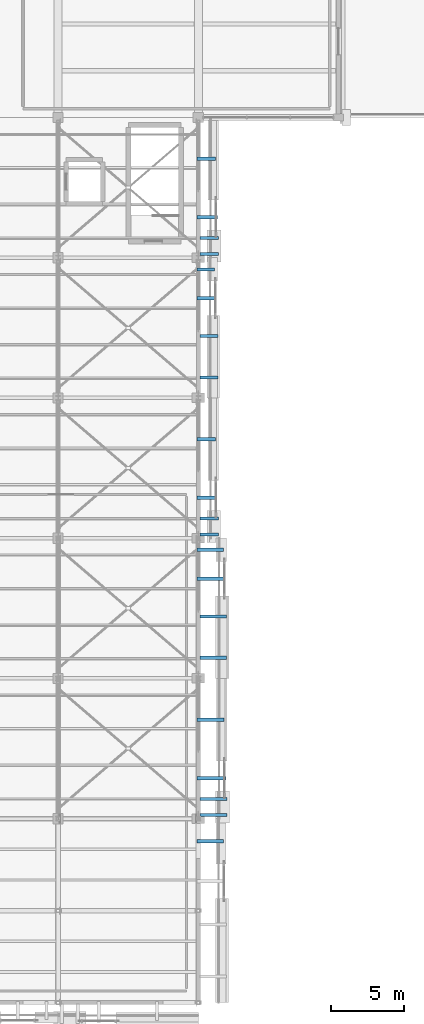
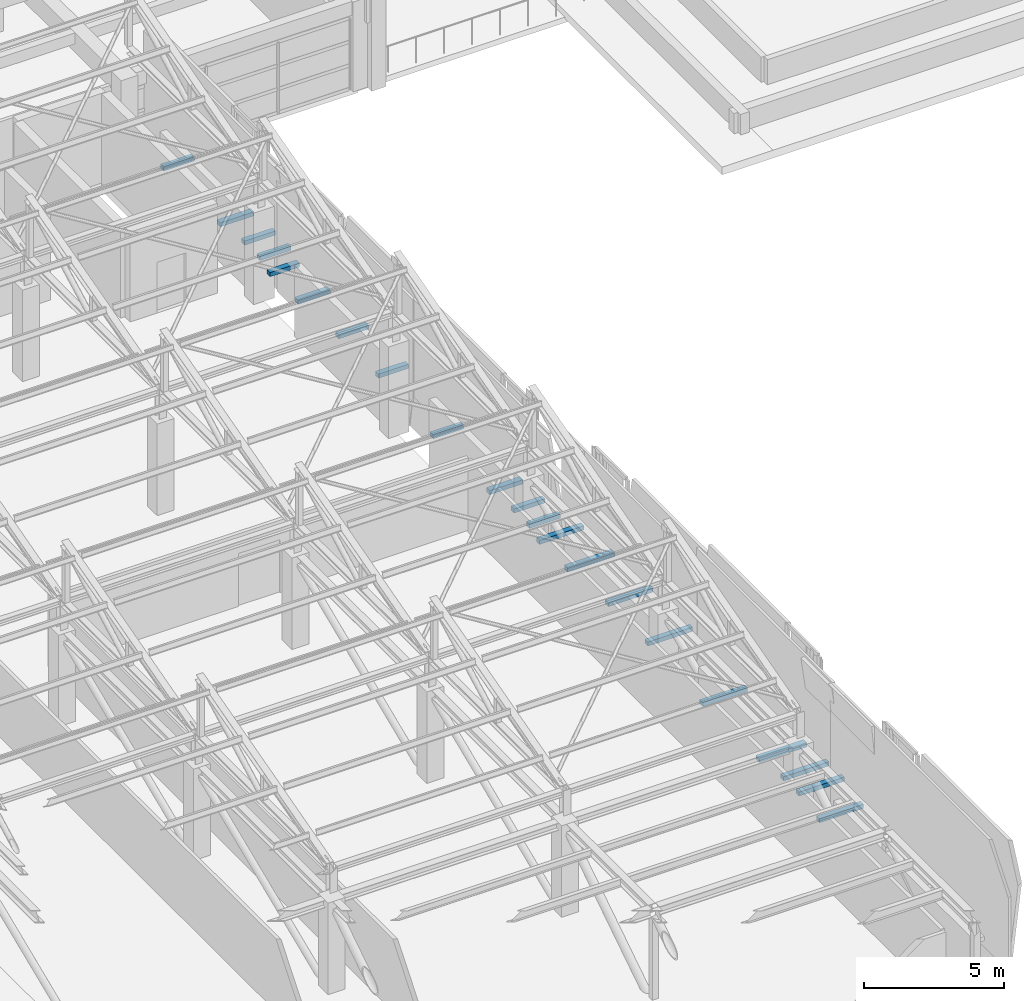
# One storey, part 63 of 71: 21 discrete accessories.
"""IFC4 building model written with IfcOpenShell, lengths in metres."""

from ifc_helpers import new_model, si_unit, direction, frame, origin, origin_2d, place, context, subcontext, project, spatial, rectangle, extrude, material, layer, layer_set, type_object, element, save


model = new_model("IFC4")

# Units and contexts
model_context = context("Model", 3, precision=1e-05, world=origin(), true_north=direction((0.0, 1.0)))
body_context = subcontext(model_context, "Body", "Model", "MODEL_VIEW")
ifc_project = project(units=[si_unit("LENGTHUNIT", "METRE"), si_unit("AREAUNIT", "SQUARE_METRE"), si_unit("VOLUMEUNIT", "CUBIC_METRE"), si_unit("PLANEANGLEUNIT", "RADIAN"), si_unit("MASSUNIT", "GRAM", prefix="KILO")], contexts=[model_context])

# Site, building, storey
site_placement = place(None, origin())
site = spatial("IfcSite", under=ifc_project, at=site_placement, CompositionType="ELEMENT")
building_placement = place(site_placement, origin())
building = spatial("IfcBuilding", under=site, at=building_placement, Name="Bempovik Park Faculty of Sciences", CompositionType="ELEMENT")
storey_placement = place(building_placement, frame((0.0, 0.0, 14.10009765625)))
storey = spatial("IfcBuildingStorey", under=building, at=storey_placement, Name="L03", CompositionType="ELEMENT", Elevation=14.10009765625)

# Discrete accessories
ifc_material = material(Name="Steel S355", Category="steel")
ifc_layer = layer(ifc_material, 0.14990234375)
ifc_layer_set = layer_set([ifc_layer], Name="Steel S355")
discrete_accessory_type = type_object("IfcDiscreteAccessoryType", Name="BK-01 Facade Support Bracket", PredefinedType="BRACKET", material=ifc_layer_set)
discrete_accessory_1_placement = place(storey_placement, frame((118.41015625, 18.25244140625, 1.44970703125), z_axis=(0.0, 0.0, 1.0), x_axis=(1.0, 0.0, 0.0)))
element("IfcDiscreteAccessory", 1, at=discrete_accessory_1_placement, inside=storey, type_object=discrete_accessory_type, Name="Crystal Cladding Support Bracket FAC-CRYS-L03-1176-72-BKR", PredefinedType="BRACKET", context=body_context, shape_type="SweptSolid", body=[
    extrude(rectangle(XDim=1.800537109375, YDim=0.219970703125, at=origin_2d()), origin(), (0.0, 0.0, 1.0), 0.179931640625),
])
discrete_accessory_2_placement = place(storey_placement, frame((118.431396484375, 26.577392578125, 1.44970703125), z_axis=(0.0, 0.0, 1.0), x_axis=(1.0, 0.0, 0.0)))
element("IfcDiscreteAccessory", 2, at=discrete_accessory_2_placement, inside=storey, type_object=discrete_accessory_type, Name="Crystal Cladding Support Bracket FAC-CRYS-L03-1176-198-BKR", PredefinedType="BRACKET", context=body_context, shape_type="SweptSolid", body=[
    extrude(rectangle(XDim=1.8427734375, YDim=0.219970703125, at=origin_2d()), origin(), (0.0, 0.0, 1.0), 0.179931640625),
])
for number, where, z_axis, x_axis, name in (
    (3, (118.63134765625, 20.047607421875, 1.44970703125), (0.0, 0.0, 1.0), (1.0, 0.0, 0.0), "Crystal Cladding Support Bracket FAC-CRYS-L03-1176-198-BK1"),
    (4, (118.63134765625, 21.1474609375, 1.44970703125), (0.0, 0.0, 1.0), (1.0, 0.0, 0.0), "Crystal Cladding Support Bracket FAC-CRYS-L03-1176-198-BK2"),
):
    element("IfcDiscreteAccessory", number, at=place(storey_placement, frame(where, z_axis=z_axis, x_axis=x_axis)), inside=storey, type_object=discrete_accessory_type, Name=name, PredefinedType="BRACKET", context=body_context, shape_type="SweptSolid", body=[
        extrude(rectangle(XDim=1.86279296875, YDim=0.219970703125, at=origin_2d()), origin(), (0.0, 0.0, 1.0), 0.179931640625),
    ])
discrete_accessory_3_placement = place(storey_placement, frame((118.50146484375, 22.574951171875, 1.44970703125), z_axis=(0.0, 0.0, 1.0), x_axis=(1.0, 0.0, 0.0)))
element("IfcDiscreteAccessory", 5, at=discrete_accessory_3_placement, inside=storey, type_object=discrete_accessory_type, Name="Crystal Fold Tie Bracket FAC-CRYS-L03-1176-198-BKF", PredefinedType="BRACKET", context=body_context, shape_type="SweptSolid", body=[
    extrude(rectangle(XDim=1.962646484375, YDim=0.239990234375, at=origin_2d()), origin(), (0.0, 0.0, 1.0), 0.179931640625),
])
discrete_accessory_4_placement = place(storey_placement, frame((118.4208984375, 38.202392578125, 1.44970703125), z_axis=(0.0, 0.0, 1.0), x_axis=(1.0, 0.0, 0.0)))
element("IfcDiscreteAccessory", 6, at=discrete_accessory_4_placement, inside=storey, type_object=discrete_accessory_type, Name="Crystal Cladding Support Bracket FAC-CRYS-L03-1176-294-BKR", PredefinedType="BRACKET", context=body_context, shape_type="SweptSolid", body=[
    extrude(rectangle(XDim=1.822021484375, YDim=0.219970703125, at=origin_2d()), origin(), (0.0, 0.0, 1.0), 0.179931640625),
])
for number, where, z_axis, x_axis, name in (
    (7, (118.62109375, 30.811279296875, 1.44970703125), (0.0, 0.0, 1.0), (1.0, 0.0, 0.0), "Crystal Cladding Support Bracket FAC-CRYS-L03-1176-294-BK1"),
    (8, (118.62109375, 33.6337890625, 1.44970703125), (0.0, 0.0, 1.0), (1.0, 0.0, 0.0), "Crystal Cladding Support Bracket FAC-CRYS-L03-1176-294-BK2"),
):
    element("IfcDiscreteAccessory", number, at=place(storey_placement, frame(where, z_axis=z_axis, x_axis=x_axis)), inside=storey, type_object=discrete_accessory_type, Name=name, PredefinedType="BRACKET", context=body_context, shape_type="SweptSolid", body=[
        extrude(rectangle(XDim=1.842041015625, YDim=0.219970703125, at=origin_2d()), origin(), (0.0, 0.0, 1.0), 0.179931640625),
    ])
discrete_accessory_5_placement = place(storey_placement, frame((118.490966796875, 36.22509765625, 1.44970703125), z_axis=(0.0, 0.0, 1.0), x_axis=(1.0, 0.0, 0.0)))
element("IfcDiscreteAccessory", 9, at=discrete_accessory_5_placement, inside=storey, type_object=discrete_accessory_type, Name="Crystal Fold Tie Bracket FAC-CRYS-L03-1176-294-BKF", PredefinedType="BRACKET", context=body_context, shape_type="SweptSolid", body=[
    extrude(rectangle(XDim=1.94189453125, YDim=0.239990234375, at=origin_2d()), origin(), (0.0, 0.0, 1.0), 0.179931640625),
])
discrete_accessory_6_placement = place(storey_placement, frame((118.1357421875, 45.777587890625, 1.44970703125), z_axis=(0.0, 0.0, 1.0), x_axis=(1.0, 0.0, 0.0)))
element("IfcDiscreteAccessory", 10, at=discrete_accessory_6_placement, inside=storey, type_object=discrete_accessory_type, Name="Crystal Cladding Support Bracket FAC-CRYS-L03-1176-390-BKR", PredefinedType="BRACKET", context=body_context, shape_type="SweptSolid", body=[
    extrude(rectangle(XDim=1.25146484375, YDim=0.219970703125, at=origin_2d()), origin(), (0.0, 0.0, 1.0), 0.179931640625),
])
for number, where, z_axis, x_axis, name in (
    (11, (118.335693359375, 39.24755859375, 1.44970703125), (0.0, 0.0, 1.0), (1.0, 0.0, 0.0), "Crystal Cladding Support Bracket FAC-CRYS-L03-1176-390-BK1"),
    (12, (118.335693359375, 40.347412109375, 1.44970703125), (0.0, 0.0, 1.0), (1.0, 0.0, 0.0), "Crystal Cladding Support Bracket FAC-CRYS-L03-1176-390-BK2"),
):
    element("IfcDiscreteAccessory", number, at=place(storey_placement, frame(where, z_axis=z_axis, x_axis=x_axis)), inside=storey, type_object=discrete_accessory_type, Name=name, PredefinedType="BRACKET", context=body_context, shape_type="SweptSolid", body=[
        extrude(rectangle(XDim=1.271484375, YDim=0.219970703125, at=origin_2d()), origin(), (0.0, 0.0, 1.0), 0.179931640625),
    ])
discrete_accessory_7_placement = place(storey_placement, frame((118.205810546875, 41.77490234375, 1.44970703125), z_axis=(0.0, 0.0, 1.0), x_axis=(1.0, 0.0, 0.0)))
element("IfcDiscreteAccessory", 13, at=discrete_accessory_7_placement, inside=storey, type_object=discrete_accessory_type, Name="Crystal Fold Tie Bracket FAC-CRYS-L03-1176-390-BKF", PredefinedType="BRACKET", context=body_context, shape_type="SweptSolid", body=[
    extrude(rectangle(XDim=1.37158203125, YDim=0.239990234375, at=origin_2d()), origin(), (0.0, 0.0, 1.0), 0.179931640625),
])
discrete_accessory_8_placement = place(storey_placement, frame((118.11669921875, 57.402587890625, 1.44970703125), z_axis=(0.0, 0.0, 1.0), x_axis=(1.0, 0.0, 0.0)))
element("IfcDiscreteAccessory", 14, at=discrete_accessory_8_placement, inside=storey, type_object=discrete_accessory_type, Name="Crystal Cladding Support Bracket FAC-CRYS-L03-1176-486-BKR", PredefinedType="BRACKET", context=body_context, shape_type="SweptSolid", body=[
    extrude(rectangle(XDim=1.21337890625, YDim=0.219970703125, at=origin_2d()), origin(), (0.0, 0.0, 1.0), 0.179931640625),
])
for number, where, z_axis, x_axis, name in (
    (15, (118.316650390625, 50.01123046875, 1.44970703125), (0.0, 0.0, 1.0), (1.0, 0.0, 0.0), "Crystal Cladding Support Bracket FAC-CRYS-L03-1176-486-BK1"),
    (16, (118.316650390625, 52.833740234375, 1.44970703125), (0.0, 0.0, 1.0), (1.0, 0.0, 0.0), "Crystal Cladding Support Bracket FAC-CRYS-L03-1176-486-BK2"),
):
    element("IfcDiscreteAccessory", number, at=place(storey_placement, frame(where, z_axis=z_axis, x_axis=x_axis)), inside=storey, type_object=discrete_accessory_type, Name=name, PredefinedType="BRACKET", context=body_context, shape_type="SweptSolid", body=[
        extrude(rectangle(XDim=1.2333984375, YDim=0.219970703125, at=origin_2d()), origin(), (0.0, 0.0, 1.0), 0.179931640625),
    ])
discrete_accessory_9_placement = place(storey_placement, frame((118.186767578125, 55.425048828125, 1.44970703125), z_axis=(0.0, 0.0, 1.0), x_axis=(1.0, 0.0, 0.0)))
element("IfcDiscreteAccessory", 17, at=discrete_accessory_9_placement, inside=storey, type_object=discrete_accessory_type, Name="Crystal Fold Tie Bracket FAC-CRYS-L03-1176-486-BKF", PredefinedType="BRACKET", context=body_context, shape_type="SweptSolid", body=[
    extrude(rectangle(XDim=1.33349609375, YDim=0.239990234375, at=origin_2d()), origin(), (0.0, 0.0, 1.0), 0.179931640625),
])
discrete_accessory_10_placement = place(storey_placement, frame((118.140380859375, 64.9775390625, 1.44970703125), z_axis=(0.0, 0.0, 1.0), x_axis=(1.0, 0.0, 0.0)))
element("IfcDiscreteAccessory", 18, at=discrete_accessory_10_placement, inside=storey, type_object=discrete_accessory_type, Name="Crystal Cladding Support Bracket FAC-CRYS-L03-1176-582-BKR", PredefinedType="BRACKET", context=body_context, shape_type="SweptSolid", body=[
    extrude(rectangle(XDim=1.260986328125, YDim=0.219970703125, at=origin_2d()), origin(), (0.0, 0.0, 1.0), 0.179931640625),
])
for number, where, z_axis, x_axis, name in (
    (19, (118.340576171875, 58.447509765625, 1.44970703125), (0.0, 0.0, 1.0), (1.0, 0.0, 0.0), "Crystal Cladding Support Bracket FAC-CRYS-L03-1176-582-BK1"),
    (20, (118.340576171875, 59.547607421875, 1.44970703125), (0.0, 0.0, 1.0), (1.0, 0.0, 0.0), "Crystal Cladding Support Bracket FAC-CRYS-L03-1176-582-BK2"),
):
    element("IfcDiscreteAccessory", number, at=place(storey_placement, frame(where, z_axis=z_axis, x_axis=x_axis)), inside=storey, type_object=discrete_accessory_type, Name=name, PredefinedType="BRACKET", context=body_context, shape_type="SweptSolid", body=[
        extrude(rectangle(XDim=1.281005859375, YDim=0.219970703125, at=origin_2d()), origin(), (0.0, 0.0, 1.0), 0.179931640625),
    ])
discrete_accessory_11_placement = place(storey_placement, frame((118.21044921875, 60.97509765625, 1.44970703125), z_axis=(0.0, 0.0, 1.0), x_axis=(1.0, 0.0, 0.0)))
element("IfcDiscreteAccessory", 21, at=discrete_accessory_11_placement, inside=storey, type_object=discrete_accessory_type, Name="Crystal Fold Tie Bracket FAC-CRYS-L03-1176-582-BKF", PredefinedType="BRACKET", context=body_context, shape_type="SweptSolid", body=[
    extrude(rectangle(XDim=1.381103515625, YDim=0.239990234375, at=origin_2d()), origin(), (0.0, 0.0, 1.0), 0.179931640625),
])

save(model, "model.ifc")
